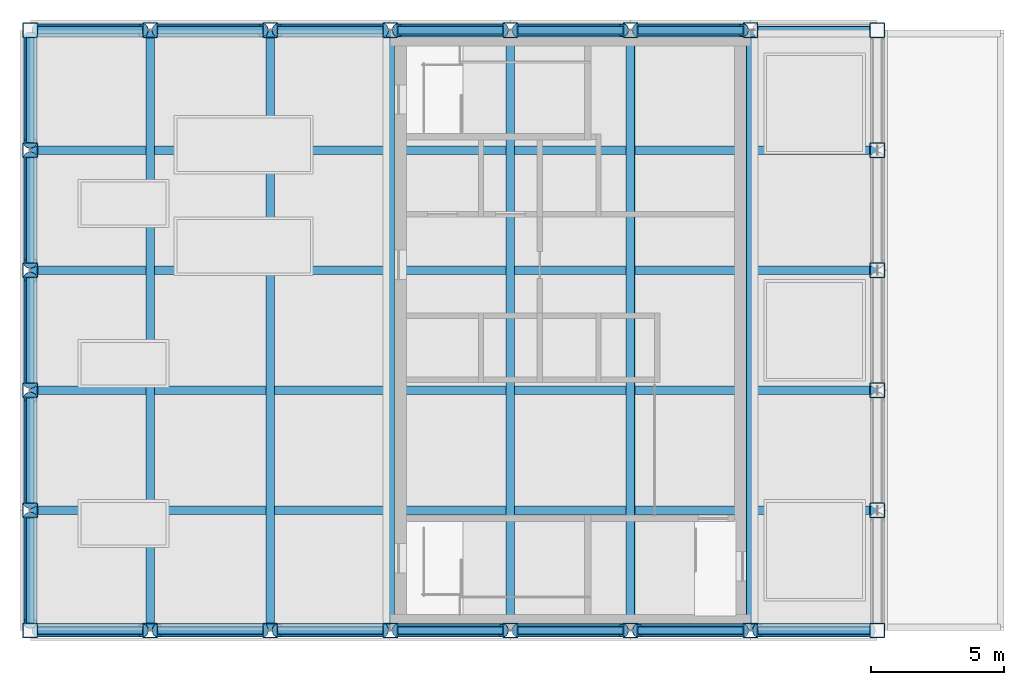
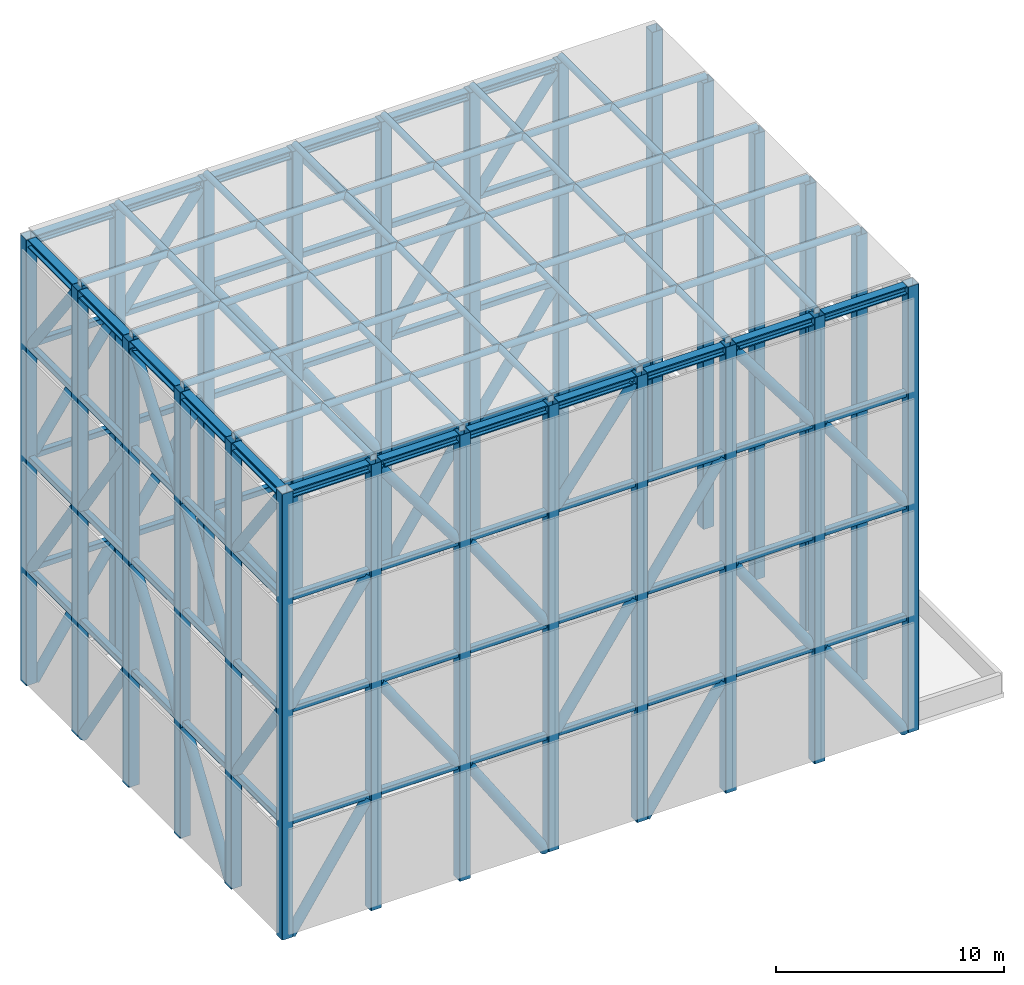
# One storey, part 1 of 11: 101 members, 24 columns, 18 beams.
"""IFC4 building model written with IfcOpenShell, lengths in metres."""

from ifc_helpers import new_model, si_unit, direction, frame, origin, origin_2d, place, context, subcontext, project, spatial, hollow_rectangle, hollow_circle, i_section, extrude, material, material_profile, profile_set, type_object, element, save


model = new_model("IFC4")

# Units and contexts
model_context = context("Model", 3, precision=1e-05, world=origin(), true_north=direction((0.0, 1.0)))
body_context = subcontext(model_context, "Body", "Model", "MODEL_VIEW")
ifc_project = project(units=[si_unit("LENGTHUNIT", "METRE"), si_unit("AREAUNIT", "SQUARE_METRE"), si_unit("VOLUMEUNIT", "CUBIC_METRE"), si_unit("PLANEANGLEUNIT", "RADIAN"), si_unit("MASSUNIT", "GRAM", prefix="KILO")], contexts=[model_context])

# Site, building, storey
site_placement = place(None, origin())
site = spatial("IfcSite", under=ifc_project, at=site_placement, CompositionType="ELEMENT")
building_placement = place(site_placement, origin())
building = spatial("IfcBuilding", under=site, at=building_placement, Name="Sennacour Bend Tower", CompositionType="ELEMENT")
storey_placement = place(building_placement, frame((0.0, 0.0, 355.5)))
storey = spatial("IfcBuildingStorey", under=building, at=storey_placement, Name="RF", CompositionType="ELEMENT", Elevation=355.5)

# Columns
ifc_material_1 = material(Name="Steel ASTM A500 Grade C", Category="steel")
ifc_material_profile_1 = material_profile(ifc_material_1, hollow_rectangle(XDim=0.558837890625, YDim=0.558837890625, WallThickness=0.01904296875, InnerFilletRadius=0.01904296875, OuterFilletRadius=0.0380859375, at=origin_2d()), Name="Steel ASTM A500 Grade C", Category="steel")
ifc_profile_set_1 = profile_set([ifc_material_profile_1], Name="Steel ASTM A500 Grade C")
column_type = type_object("IfcColumnType", Name="CROWN FRAME post 559", PredefinedType="COLUMN", material=ifc_profile_set_1)
for number, where, z_axis, x_axis, name in (
    (1, (40.5, 0.0, -0.25), (0.0, 0.0, 1.0), (1.0, 0.0, 0.0), "CROWN FRAME post CP-001"),
    (2, (45.0, 0.0, -0.25), (0.0, 0.0, 1.0), (1.0, 0.0, 0.0), "CROWN FRAME post CP-002"),
    (3, (49.5, 0.0, -0.25), (0.0, 0.0, 1.0), (1.0, 0.0, 0.0), "CROWN FRAME post CP-003"),
    (4, (54.0, 0.0, -0.25), (0.0, 0.0, 1.0), (1.0, 0.0, 0.0), "CROWN FRAME post CP-004"),
    (5, (58.5, 0.0, -0.25), (0.0, 0.0, 1.0), (1.0, 0.0, 0.0), "CROWN FRAME post CP-005"),
    (6, (63.0, 0.0, -0.25), (0.0, 0.0, 1.0), (1.0, 0.0, 0.0), "CROWN FRAME post CP-006"),
    (7, (67.5, 0.0, -0.25), (0.0, 0.0, 1.0), (1.0, 0.0, 0.0), "CROWN FRAME post CP-007"),
    (8, (72.25, 0.0, -0.25), (0.0, 0.0, 1.0), (1.0, 0.0, 0.0), "CROWN FRAME post CP-008"),
    (9, (72.25, 4.5, -0.25), (0.0, 0.0, 1.0), (1.0, 0.0, 0.0), "CROWN FRAME post CP-009"),
    (10, (72.25, 9.0, -0.25), (0.0, 0.0, 1.0), (1.0, 0.0, 0.0), "CROWN FRAME post CP-010"),
    (11, (72.25, 13.5, -0.25), (0.0, 0.0, 1.0), (1.0, 0.0, 0.0), "CROWN FRAME post CP-011"),
    (12, (72.25, 18.0, -0.25), (0.0, 0.0, 1.0), (1.0, 0.0, 0.0), "CROWN FRAME post CP-012"),
    (13, (72.25, 22.5, -0.25), (0.0, 0.0, 1.0), (1.0, 0.0, 0.0), "CROWN FRAME post CP-013"),
    (14, (67.5, 22.5, -0.25), (0.0, 0.0, 1.0), (1.0, 0.0, 0.0), "CROWN FRAME post CP-014"),
    (15, (63.0, 22.5, -0.25), (0.0, 0.0, 1.0), (1.0, 0.0, 0.0), "CROWN FRAME post CP-015"),
    (16, (58.5, 22.5, -0.25), (0.0, 0.0, 1.0), (1.0, 0.0, 0.0), "CROWN FRAME post CP-016"),
    (17, (54.0, 22.5, -0.25), (0.0, 0.0, 1.0), (1.0, 0.0, 0.0), "CROWN FRAME post CP-017"),
    (18, (49.5, 22.5, -0.25), (0.0, 0.0, 1.0), (1.0, 0.0, 0.0), "CROWN FRAME post CP-018"),
    (19, (45.0, 22.5, -0.25), (0.0, 0.0, 1.0), (1.0, 0.0, 0.0), "CROWN FRAME post CP-019"),
    (20, (40.5, 22.5, -0.25), (0.0, 0.0, 1.0), (1.0, 0.0, 0.0), "CROWN FRAME post CP-020"),
    (21, (40.5, 18.0, -0.25), (0.0, 0.0, 1.0), (1.0, 0.0, 0.0), "CROWN FRAME post CP-021"),
    (22, (40.5, 13.5, -0.25), (0.0, 0.0, 1.0), (1.0, 0.0, 0.0), "CROWN FRAME post CP-022"),
    (23, (40.5, 9.0, -0.25), (0.0, 0.0, 1.0), (1.0, 0.0, 0.0), "CROWN FRAME post CP-023"),
    (24, (40.5, 4.5, -0.25), (0.0, 0.0, 1.0), (1.0, 0.0, 0.0), "CROWN FRAME post CP-024"),
):
    element("IfcColumn", number, at=place(storey_placement, frame(where, z_axis=z_axis, x_axis=x_axis)), inside=storey, type_object=column_type, Name=name, PredefinedType="COLUMN", context=body_context, shape_type="SweptSolid", body=[
        extrude(hollow_rectangle(XDim=0.558837890625, YDim=0.558837890625, WallThickness=0.01904296875, InnerFilletRadius=0.01904296875, OuterFilletRadius=0.0380859375, at=origin_2d()), origin(), (0.0, 0.0, 1.0), 23.926025390625),
    ])

# Members
ifc_material_profile_2 = material_profile(ifc_material_1, hollow_circle(Radius=0.25390625, WallThickness=0.0126953125, at=origin_2d()), Name="Steel ASTM A500 Grade C", Category="steel")
ifc_profile_set_2 = profile_set([ifc_material_profile_2], Name="Steel ASTM A500 Grade C")
member_type_1 = type_object("IfcMemberType", Name="CROWN FRAME brace 508", PredefinedType="BRACE", material=ifc_profile_set_2)
member_1_placement = place(storey_placement, frame((40.779296875, 0.0, -0.25), z_axis=(0.552549986341, 0.0, 0.833479761359), x_axis=(0.0, 1.0, 0.0)))
element("IfcMember", 25, at=member_1_placement, inside=storey, type_object=member_type_1, Name="CROWN FRAME brace CB-001", PredefinedType="BRACE", context=body_context, shape_type="SweptSolid", body=[
    extrude(hollow_circle(Radius=0.25390625, WallThickness=0.0126953125, at=origin_2d()), origin(), (0.0, 0.0, 1.0), 7.133056640625),
])
for number, where, z_axis, x_axis, name in (
    (26, (40.779296875, 0.0, 12.0), (0.569063333042, 0.0, 0.822293696308), (0.0, 1.0, 0.0), "CROWN FRAME brace CB-002"),
    (27, (45.279296875, 0.0, 11.6953125), (0.569063333042, 0.0, -0.822293696308), (0.0, 1.0, 0.0), "CROWN FRAME brace CB-003"),
):
    element("IfcMember", number, at=place(storey_placement, frame(where, z_axis=z_axis, x_axis=x_axis)), inside=storey, type_object=member_type_1, Name=name, PredefinedType="BRACE", context=body_context, shape_type="SweptSolid", body=[
        extrude(hollow_circle(Radius=0.25390625, WallThickness=0.0126953125, at=origin_2d()), origin(), (0.0, 0.0, 1.0), 6.926025390625),
    ])
member_2_placement = place(storey_placement, frame((45.279296875, 0.0, 23.2421875), z_axis=(0.600952521831, 0.0, -0.799284721801), x_axis=(0.0, 1.0, 0.0)))
element("IfcMember", 28, at=member_2_placement, inside=storey, type_object=member_type_1, Name="CROWN FRAME brace CB-004", PredefinedType="BRACE", context=body_context, shape_type="SweptSolid", body=[
    extrude(hollow_circle(Radius=0.25390625, WallThickness=0.0126953125, at=origin_2d()), origin(), (0.0, 0.0, 1.0), 6.55859375),
])
member_3_placement = place(storey_placement, frame((49.779296875, 0.0, 5.6953125), z_axis=(0.552549986341, 0.0, -0.833479761359), x_axis=(0.0, 1.0, 0.0)))
element("IfcMember", 29, at=member_3_placement, inside=storey, type_object=member_type_1, Name="CROWN FRAME brace CB-005", PredefinedType="BRACE", context=body_context, shape_type="SweptSolid", body=[
    extrude(hollow_circle(Radius=0.25390625, WallThickness=0.0126953125, at=origin_2d()), origin(), (0.0, 0.0, 1.0), 7.133056640625),
])
for number, where, z_axis, x_axis, name in (
    (30, (49.779296875, 0.0, 17.6953125), (0.569063333042, 0.0, -0.822293696308), (0.0, 1.0, 0.0), "CROWN FRAME brace CB-006"),
    (31, (54.279296875, 0.0, 6.0), (0.569063333042, 0.0, 0.822293696308), (0.0, 1.0, 0.0), "CROWN FRAME brace CB-007"),
):
    element("IfcMember", number, at=place(storey_placement, frame(where, z_axis=z_axis, x_axis=x_axis)), inside=storey, type_object=member_type_1, Name=name, PredefinedType="BRACE", context=body_context, shape_type="SweptSolid", body=[
        extrude(hollow_circle(Radius=0.25390625, WallThickness=0.0126953125, at=origin_2d()), origin(), (0.0, 0.0, 1.0), 6.926025390625),
    ])
member_4_placement = place(storey_placement, frame((54.279296875, 0.0, 18.0), z_axis=(0.600952521831, 0.0, 0.799284721801), x_axis=(0.0, 1.0, 0.0)))
element("IfcMember", 32, at=member_4_placement, inside=storey, type_object=member_type_1, Name="CROWN FRAME brace CB-008", PredefinedType="BRACE", context=body_context, shape_type="SweptSolid", body=[
    extrude(hollow_circle(Radius=0.25390625, WallThickness=0.0126953125, at=origin_2d()), origin(), (0.0, 0.0, 1.0), 6.55859375),
])
member_5_placement = place(storey_placement, frame((58.779296875, 0.0, -0.25), z_axis=(0.552549986341, 0.0, 0.833479761359), x_axis=(0.0, 1.0, 0.0)))
element("IfcMember", 33, at=member_5_placement, inside=storey, type_object=member_type_1, Name="CROWN FRAME brace CB-009", PredefinedType="BRACE", context=body_context, shape_type="SweptSolid", body=[
    extrude(hollow_circle(Radius=0.25390625, WallThickness=0.0126953125, at=origin_2d()), origin(), (0.0, 0.0, 1.0), 7.133056640625),
])
for number, where, z_axis, x_axis, name in (
    (34, (58.779296875, 0.0, 12.0), (0.569063333042, 0.0, 0.822293696308), (0.0, 1.0, 0.0), "CROWN FRAME brace CB-010"),
    (35, (63.279296875, 0.0, 11.6953125), (0.569063333042, 0.0, -0.822293696308), (0.0, 1.0, 0.0), "CROWN FRAME brace CB-011"),
):
    element("IfcMember", number, at=place(storey_placement, frame(where, z_axis=z_axis, x_axis=x_axis)), inside=storey, type_object=member_type_1, Name=name, PredefinedType="BRACE", context=body_context, shape_type="SweptSolid", body=[
        extrude(hollow_circle(Radius=0.25390625, WallThickness=0.0126953125, at=origin_2d()), origin(), (0.0, 0.0, 1.0), 6.926025390625),
    ])
member_6_placement = place(storey_placement, frame((63.279296875, 0.0, 23.2421875), z_axis=(0.600952521831, 0.0, -0.799284721801), x_axis=(0.0, 1.0, 0.0)))
element("IfcMember", 36, at=member_6_placement, inside=storey, type_object=member_type_1, Name="CROWN FRAME brace CB-012", PredefinedType="BRACE", context=body_context, shape_type="SweptSolid", body=[
    extrude(hollow_circle(Radius=0.25390625, WallThickness=0.0126953125, at=origin_2d()), origin(), (0.0, 0.0, 1.0), 6.55859375),
])
member_7_placement = place(storey_placement, frame((67.779296875, 0.0, 5.6953125), z_axis=(0.576198186144, 0.0, -0.817310008678), x_axis=(0.0, 1.0, 0.0)))
element("IfcMember", 37, at=member_7_placement, inside=storey, type_object=member_type_1, Name="CROWN FRAME brace CB-013", PredefinedType="BRACE", context=body_context, shape_type="SweptSolid", body=[
    extrude(hollow_circle(Radius=0.25390625, WallThickness=0.0126953125, at=origin_2d()), origin(), (0.0, 0.0, 1.0), 7.274169921875),
])
member_8_placement = place(storey_placement, frame((67.779296875, 0.0, 17.6953125), z_axis=(0.592727857183, 0.0, -0.805402810598), x_axis=(0.0, 1.0, 0.0)))
element("IfcMember", 38, at=member_8_placement, inside=storey, type_object=member_type_1, Name="CROWN FRAME brace CB-014", PredefinedType="BRACE", context=body_context, shape_type="SweptSolid", body=[
    extrude(hollow_circle(Radius=0.25390625, WallThickness=0.0126953125, at=origin_2d()), origin(), (0.0, 0.0, 1.0), 7.0712890625),
])
member_9_placement = place(storey_placement, frame((67.220703125, 22.5, 11.6953125), z_axis=(-0.569063333042, 0.0, -0.822293696308), x_axis=(0.0, -1.0, 0.0)))
element("IfcMember", 39, at=member_9_placement, inside=storey, type_object=member_type_1, Name="CROWN FRAME brace CB-027", PredefinedType="BRACE", context=body_context, shape_type="SweptSolid", body=[
    extrude(hollow_circle(Radius=0.25390625, WallThickness=0.0126953125, at=origin_2d()), origin(), (0.0, 0.0, 1.0), 6.926025390625),
])
member_10_placement = place(storey_placement, frame((67.220703125, 22.5, 23.2421875), z_axis=(-0.600952521831, 0.0, -0.799284721801), x_axis=(0.0, -1.0, 0.0)))
element("IfcMember", 40, at=member_10_placement, inside=storey, type_object=member_type_1, Name="CROWN FRAME brace CB-028", PredefinedType="BRACE", context=body_context, shape_type="SweptSolid", body=[
    extrude(hollow_circle(Radius=0.25390625, WallThickness=0.0126953125, at=origin_2d()), origin(), (0.0, 0.0, 1.0), 6.55859375),
])
member_11_placement = place(storey_placement, frame((62.720703125, 22.5, 5.6953125), z_axis=(-0.552549986341, 0.0, -0.833479761359), x_axis=(0.0, -1.0, 0.0)))
element("IfcMember", 41, at=member_11_placement, inside=storey, type_object=member_type_1, Name="CROWN FRAME brace CB-029", PredefinedType="BRACE", context=body_context, shape_type="SweptSolid", body=[
    extrude(hollow_circle(Radius=0.25390625, WallThickness=0.0126953125, at=origin_2d()), origin(), (0.0, 0.0, 1.0), 7.133056640625),
])
for number, where, z_axis, x_axis, name in (
    (42, (62.720703125, 22.5, 17.6953125), (-0.569063333042, 0.0, -0.822293696308), (0.0, -1.0, 0.0), "CROWN FRAME brace CB-030"),
    (43, (58.220703125, 22.5, 6.0), (-0.569063333042, 0.0, 0.822293696308), (0.0, -1.0, 0.0), "CROWN FRAME brace CB-031"),
):
    element("IfcMember", number, at=place(storey_placement, frame(where, z_axis=z_axis, x_axis=x_axis)), inside=storey, type_object=member_type_1, Name=name, PredefinedType="BRACE", context=body_context, shape_type="SweptSolid", body=[
        extrude(hollow_circle(Radius=0.25390625, WallThickness=0.0126953125, at=origin_2d()), origin(), (0.0, 0.0, 1.0), 6.926025390625),
    ])
member_12_placement = place(storey_placement, frame((58.220703125, 22.5, 18.0), z_axis=(-0.600952521831, 0.0, 0.799284721801), x_axis=(0.0, -1.0, 0.0)))
element("IfcMember", 44, at=member_12_placement, inside=storey, type_object=member_type_1, Name="CROWN FRAME brace CB-032", PredefinedType="BRACE", context=body_context, shape_type="SweptSolid", body=[
    extrude(hollow_circle(Radius=0.25390625, WallThickness=0.0126953125, at=origin_2d()), origin(), (0.0, 0.0, 1.0), 6.55859375),
])
member_13_placement = place(storey_placement, frame((53.720703125, 22.5, -0.25), z_axis=(-0.552549986341, 0.0, 0.833479761359), x_axis=(0.0, -1.0, 0.0)))
element("IfcMember", 45, at=member_13_placement, inside=storey, type_object=member_type_1, Name="CROWN FRAME brace CB-033", PredefinedType="BRACE", context=body_context, shape_type="SweptSolid", body=[
    extrude(hollow_circle(Radius=0.25390625, WallThickness=0.0126953125, at=origin_2d()), origin(), (0.0, 0.0, 1.0), 7.133056640625),
])
for number, where, z_axis, x_axis, name in (
    (46, (53.720703125, 22.5, 12.0), (-0.569063333042, 0.0, 0.822293696308), (0.0, -1.0, 0.0), "CROWN FRAME brace CB-034"),
    (47, (49.220703125, 22.5, 11.6953125), (-0.569063333042, 0.0, -0.822293696308), (0.0, -1.0, 0.0), "CROWN FRAME brace CB-035"),
):
    element("IfcMember", number, at=place(storey_placement, frame(where, z_axis=z_axis, x_axis=x_axis)), inside=storey, type_object=member_type_1, Name=name, PredefinedType="BRACE", context=body_context, shape_type="SweptSolid", body=[
        extrude(hollow_circle(Radius=0.25390625, WallThickness=0.0126953125, at=origin_2d()), origin(), (0.0, 0.0, 1.0), 6.926025390625),
    ])
member_14_placement = place(storey_placement, frame((49.220703125, 22.5, 23.2421875), z_axis=(-0.600952521831, 0.0, -0.799284721801), x_axis=(0.0, -1.0, 0.0)))
element("IfcMember", 48, at=member_14_placement, inside=storey, type_object=member_type_1, Name="CROWN FRAME brace CB-036", PredefinedType="BRACE", context=body_context, shape_type="SweptSolid", body=[
    extrude(hollow_circle(Radius=0.25390625, WallThickness=0.0126953125, at=origin_2d()), origin(), (0.0, 0.0, 1.0), 6.55859375),
])
member_15_placement = place(storey_placement, frame((44.720703125, 22.5, 5.6953125), z_axis=(-0.552549986341, 0.0, -0.833479761359), x_axis=(0.0, -1.0, 0.0)))
element("IfcMember", 49, at=member_15_placement, inside=storey, type_object=member_type_1, Name="CROWN FRAME brace CB-037", PredefinedType="BRACE", context=body_context, shape_type="SweptSolid", body=[
    extrude(hollow_circle(Radius=0.25390625, WallThickness=0.0126953125, at=origin_2d()), origin(), (0.0, 0.0, 1.0), 7.133056640625),
])
for number, where, z_axis, x_axis, name in (
    (50, (44.720703125, 22.5, 17.6953125), (-0.569063333042, 0.0, -0.822293696308), (0.0, -1.0, 0.0), "CROWN FRAME brace CB-038"),
    (51, (40.5, 22.220703125, 6.0), (0.0, -0.569063333042, 0.822293696308), (1.0, 0.0, 0.0), "CROWN FRAME brace CB-039"),
):
    element("IfcMember", number, at=place(storey_placement, frame(where, z_axis=z_axis, x_axis=x_axis)), inside=storey, type_object=member_type_1, Name=name, PredefinedType="BRACE", context=body_context, shape_type="SweptSolid", body=[
        extrude(hollow_circle(Radius=0.25390625, WallThickness=0.0126953125, at=origin_2d()), origin(), (0.0, 0.0, 1.0), 6.926025390625),
    ])
member_16_placement = place(storey_placement, frame((40.5, 22.220703125, 18.0), z_axis=(0.0, -0.600952521831, 0.799284721801), x_axis=(1.0, 0.0, 0.0)))
element("IfcMember", 52, at=member_16_placement, inside=storey, type_object=member_type_1, Name="CROWN FRAME brace CB-040", PredefinedType="BRACE", context=body_context, shape_type="SweptSolid", body=[
    extrude(hollow_circle(Radius=0.25390625, WallThickness=0.0126953125, at=origin_2d()), origin(), (0.0, 0.0, 1.0), 6.55859375),
])
member_17_placement = place(storey_placement, frame((40.5, 17.720703125, -0.25), z_axis=(0.0, -0.552549986341, 0.833479761359), x_axis=(1.0, 0.0, 0.0)))
element("IfcMember", 53, at=member_17_placement, inside=storey, type_object=member_type_1, Name="CROWN FRAME brace CB-041", PredefinedType="BRACE", context=body_context, shape_type="SweptSolid", body=[
    extrude(hollow_circle(Radius=0.25390625, WallThickness=0.0126953125, at=origin_2d()), origin(), (0.0, 0.0, 1.0), 7.133056640625),
])
for number, where, z_axis, x_axis, name in (
    (54, (40.5, 17.720703125, 12.0), (0.0, -0.569063333042, 0.822293696308), (1.0, 0.0, 0.0), "CROWN FRAME brace CB-042"),
    (55, (40.5, 13.220703125, 11.6953125), (0.0, -0.569063333042, -0.822293696308), (1.0, 0.0, 0.0), "CROWN FRAME brace CB-043"),
):
    element("IfcMember", number, at=place(storey_placement, frame(where, z_axis=z_axis, x_axis=x_axis)), inside=storey, type_object=member_type_1, Name=name, PredefinedType="BRACE", context=body_context, shape_type="SweptSolid", body=[
        extrude(hollow_circle(Radius=0.25390625, WallThickness=0.0126953125, at=origin_2d()), origin(), (0.0, 0.0, 1.0), 6.926025390625),
    ])
member_18_placement = place(storey_placement, frame((40.5, 13.220703125, 23.2421875), z_axis=(0.0, -0.600952521831, -0.799284721801), x_axis=(1.0, 0.0, 0.0)))
element("IfcMember", 56, at=member_18_placement, inside=storey, type_object=member_type_1, Name="CROWN FRAME brace CB-044", PredefinedType="BRACE", context=body_context, shape_type="SweptSolid", body=[
    extrude(hollow_circle(Radius=0.25390625, WallThickness=0.0126953125, at=origin_2d()), origin(), (0.0, 0.0, 1.0), 6.55859375),
])
member_19_placement = place(storey_placement, frame((40.5, 8.720703125, 5.6953125), z_axis=(0.0, -0.552549986341, -0.833479761359), x_axis=(1.0, 0.0, 0.0)))
element("IfcMember", 57, at=member_19_placement, inside=storey, type_object=member_type_1, Name="CROWN FRAME brace CB-045", PredefinedType="BRACE", context=body_context, shape_type="SweptSolid", body=[
    extrude(hollow_circle(Radius=0.25390625, WallThickness=0.0126953125, at=origin_2d()), origin(), (0.0, 0.0, 1.0), 7.133056640625),
])
for number, where, z_axis, x_axis, name in (
    (58, (40.5, 8.720703125, 17.6953125), (0.0, -0.569063333042, -0.822293696308), (1.0, 0.0, 0.0), "CROWN FRAME brace CB-046"),
    (59, (40.5, 4.220703125, 6.0), (0.0, -0.569063333042, 0.822293696308), (1.0, 0.0, 0.0), "CROWN FRAME brace CB-047"),
):
    element("IfcMember", number, at=place(storey_placement, frame(where, z_axis=z_axis, x_axis=x_axis)), inside=storey, type_object=member_type_1, Name=name, PredefinedType="BRACE", context=body_context, shape_type="SweptSolid", body=[
        extrude(hollow_circle(Radius=0.25390625, WallThickness=0.0126953125, at=origin_2d()), origin(), (0.0, 0.0, 1.0), 6.926025390625),
    ])
member_20_placement = place(storey_placement, frame((40.5, 4.220703125, 18.0), z_axis=(0.0, -0.600952521831, 0.799284721801), x_axis=(1.0, 0.0, 0.0)))
element("IfcMember", 60, at=member_20_placement, inside=storey, type_object=member_type_1, Name="CROWN FRAME brace CB-048", PredefinedType="BRACE", context=body_context, shape_type="SweptSolid", body=[
    extrude(hollow_circle(Radius=0.25390625, WallThickness=0.0126953125, at=origin_2d()), origin(), (0.0, 0.0, 1.0), 6.55859375),
])
ifc_material_profile_3 = material_profile(ifc_material_1, hollow_circle(Radius=0.161865234375, WallThickness=0.0126953125, at=origin_2d()), Name="Steel ASTM A500 Grade C", Category="steel")
ifc_profile_set_3 = profile_set([ifc_material_profile_3], Name="Steel ASTM A500 Grade C")
member_type_2 = type_object("IfcMemberType", Name="CROWN FRAME cap rafter 324", PredefinedType="CHORD", material=ifc_profile_set_3)
for number, where, z_axis, x_axis, name in (
    (61, (45.0, 0.0, 23.838134765625), (0.0, 1.0, 0.0), (-1.0, 0.0, 0.0), "CROWN FRAME cap rafter CH-001"),
    (62, (49.5, 0.0, 23.838134765625), (0.0, 1.0, 0.0), (-1.0, 0.0, 0.0), "CROWN FRAME cap rafter CH-002"),
    (63, (54.0, 0.0, 23.838134765625), (0.0, 1.0, 0.0), (-1.0, 0.0, 0.0), "CROWN FRAME cap rafter CH-003"),
    (64, (58.5, 0.0, 23.838134765625), (0.0, 1.0, 0.0), (-1.0, 0.0, 0.0), "CROWN FRAME cap rafter CH-004"),
    (65, (63.0, 0.0, 23.838134765625), (0.0, 1.0, 0.0), (-1.0, 0.0, 0.0), "CROWN FRAME cap rafter CH-005"),
    (66, (67.5, 0.0, 23.838134765625), (0.0, 1.0, 0.0), (-1.0, 0.0, 0.0), "CROWN FRAME cap rafter CH-006"),
):
    element("IfcMember", number, at=place(storey_placement, frame(where, z_axis=z_axis, x_axis=x_axis)), inside=storey, type_object=member_type_2, Name=name, PredefinedType="CHORD", context=body_context, shape_type="SweptSolid", body=[
        extrude(hollow_circle(Radius=0.161865234375, WallThickness=0.0126953125, at=origin_2d()), origin(), (0.0, 0.0, 1.0), 22.5),
    ])
for number, where, z_axis, x_axis, name in (
    (67, (40.5, 4.5, 23.838134765625), (1.0, 0.0, 0.0), (0.0, 1.0, 0.0), "CROWN FRAME cap rafter CH-007"),
    (68, (40.5, 9.0, 23.838134765625), (1.0, 0.0, 0.0), (0.0, 1.0, 0.0), "CROWN FRAME cap rafter CH-008"),
    (69, (40.5, 13.5, 23.838134765625), (1.0, 0.0, 0.0), (0.0, 1.0, 0.0), "CROWN FRAME cap rafter CH-009"),
    (70, (40.5, 18.0, 23.838134765625), (1.0, 0.0, 0.0), (0.0, 1.0, 0.0), "CROWN FRAME cap rafter CH-010"),
):
    element("IfcMember", number, at=place(storey_placement, frame(where, z_axis=z_axis, x_axis=x_axis)), inside=storey, type_object=member_type_2, Name=name, PredefinedType="CHORD", context=body_context, shape_type="SweptSolid", body=[
        extrude(hollow_circle(Radius=0.161865234375, WallThickness=0.0126953125, at=origin_2d()), origin(), (0.0, 0.0, 1.0), 31.75),
    ])

# Beams
ifc_material_2 = material(Name="Steel ASTM A992 Grade 50", Category="steel")
ifc_material_profile_4 = material_profile(ifc_material_2, i_section(OverallWidth=0.410888671875, OverallDepth=0.43408203125, WebThickness=0.035888671875, FlangeThickness=0.057373046875, FilletRadius=0.01513671875, at=origin_2d()), Name="Steel ASTM A992 Grade 50", Category="steel")
ifc_profile_set_4 = profile_set([ifc_material_profile_4], Name="Steel ASTM A992 Grade 50")
beam_type = type_object("IfcBeamType", Name="CROWN FRAME ring beam W360X463", PredefinedType="BEAM", material=ifc_profile_set_4)
for number, where, z_axis, x_axis, name in (
    (71, (40.779296875, 0.0, 23.458984375), (1.0, 0.0, 0.0), (0.0, 1.0, 0.0), "CROWN FRAME ring beam CR-001"),
    (72, (45.279296875, 0.0, 23.458984375), (1.0, 0.0, 0.0), (0.0, 1.0, 0.0), "CROWN FRAME ring beam CR-002"),
    (73, (49.779296875, 0.0, 23.458984375), (1.0, 0.0, 0.0), (0.0, 1.0, 0.0), "CROWN FRAME ring beam CR-003"),
    (74, (54.279296875, 0.0, 23.458984375), (1.0, 0.0, 0.0), (0.0, 1.0, 0.0), "CROWN FRAME ring beam CR-004"),
    (75, (58.779296875, 0.0, 23.458984375), (1.0, 0.0, 0.0), (0.0, 1.0, 0.0), "CROWN FRAME ring beam CR-005"),
    (76, (63.279296875, 0.0, 23.458984375), (1.0, 0.0, 0.0), (0.0, 1.0, 0.0), "CROWN FRAME ring beam CR-006"),
):
    element("IfcBeam", number, at=place(storey_placement, frame(where, z_axis=z_axis, x_axis=x_axis)), inside=storey, type_object=beam_type, Name=name, PredefinedType="BEAM", context=body_context, shape_type="SweptSolid", body=[
        extrude(i_section(OverallWidth=0.410888671875, OverallDepth=0.43408203125, WebThickness=0.035888671875, FlangeThickness=0.057373046875, FilletRadius=0.01513671875, at=origin_2d()), origin(), (0.0, 0.0, 1.0), 3.94140625),
    ])
beam_placement = place(storey_placement, frame((67.779296875, 0.0, 23.458984375), z_axis=(1.0, 0.0, 0.0), x_axis=(0.0, 1.0, 0.0)))
element("IfcBeam", 77, at=beam_placement, inside=storey, type_object=beam_type, Name="CROWN FRAME ring beam CR-007", PredefinedType="BEAM", context=body_context, shape_type="SweptSolid", body=[
    extrude(i_section(OverallWidth=0.410888671875, OverallDepth=0.43408203125, WebThickness=0.035888671875, FlangeThickness=0.057373046875, FilletRadius=0.01513671875, at=origin_2d()), origin(), (0.0, 0.0, 1.0), 4.19140625),
])
for number, where, z_axis, x_axis, name in (
    (78, (67.220703125, 22.5, 23.458984375), (-1.0, 0.0, 0.0), (0.0, -1.0, 0.0), "CROWN FRAME ring beam CR-014"),
    (79, (62.720703125, 22.5, 23.458984375), (-1.0, 0.0, 0.0), (0.0, -1.0, 0.0), "CROWN FRAME ring beam CR-015"),
    (80, (58.220703125, 22.5, 23.458984375), (-1.0, 0.0, 0.0), (0.0, -1.0, 0.0), "CROWN FRAME ring beam CR-016"),
    (81, (53.720703125, 22.5, 23.458984375), (-1.0, 0.0, 0.0), (0.0, -1.0, 0.0), "CROWN FRAME ring beam CR-017"),
    (82, (49.220703125, 22.5, 23.458984375), (-1.0, 0.0, 0.0), (0.0, -1.0, 0.0), "CROWN FRAME ring beam CR-018"),
    (83, (44.720703125, 22.5, 23.458984375), (-1.0, 0.0, 0.0), (0.0, -1.0, 0.0), "CROWN FRAME ring beam CR-019"),
    (84, (40.5, 22.220703125, 23.458984375), (0.0, -1.0, 0.0), (1.0, 0.0, 0.0), "CROWN FRAME ring beam CR-020"),
    (85, (40.5, 17.720703125, 23.458984375), (0.0, -1.0, 0.0), (1.0, 0.0, 0.0), "CROWN FRAME ring beam CR-021"),
    (86, (40.5, 13.220703125, 23.458984375), (0.0, -1.0, 0.0), (1.0, 0.0, 0.0), "CROWN FRAME ring beam CR-022"),
    (87, (40.5, 8.720703125, 23.458984375), (0.0, -1.0, 0.0), (1.0, 0.0, 0.0), "CROWN FRAME ring beam CR-023"),
    (88, (40.5, 4.220703125, 23.458984375), (0.0, -1.0, 0.0), (1.0, 0.0, 0.0), "CROWN FRAME ring beam CR-024"),
):
    element("IfcBeam", number, at=place(storey_placement, frame(where, z_axis=z_axis, x_axis=x_axis)), inside=storey, type_object=beam_type, Name=name, PredefinedType="BEAM", context=body_context, shape_type="SweptSolid", body=[
        extrude(i_section(OverallWidth=0.410888671875, OverallDepth=0.43408203125, WebThickness=0.035888671875, FlangeThickness=0.057373046875, FilletRadius=0.01513671875, at=origin_2d()), origin(), (0.0, 0.0, 1.0), 3.94140625),
    ])

# Members
ifc_material_profile_5 = material_profile(ifc_material_1, hollow_rectangle(XDim=0.3046875, YDim=0.3046875, WallThickness=0.0126953125, InnerFilletRadius=0.0126953125, OuterFilletRadius=0.025390625, at=origin_2d()), Name="Steel ASTM A500 Grade C", Category="steel")
ifc_profile_set_5 = profile_set([ifc_material_profile_5], Name="Steel ASTM A500 Grade C")
member_type_3 = type_object("IfcMemberType", Name="CROWN FRAME tier ring 305", PredefinedType="MEMBER", material=ifc_profile_set_5)
for number, where, z_axis, x_axis, name in (
    (89, (40.779296875, 0.0, 5.84765625), (1.0, 0.0, 0.0), (0.0, 1.0, 0.0), "CROWN FRAME tier ring CT-001"),
    (90, (40.779296875, 0.0, 11.84765625), (1.0, 0.0, 0.0), (0.0, 1.0, 0.0), "CROWN FRAME tier ring CT-002"),
    (91, (40.779296875, 0.0, 17.84765625), (1.0, 0.0, 0.0), (0.0, 1.0, 0.0), "CROWN FRAME tier ring CT-003"),
    (92, (45.279296875, 0.0, 5.84765625), (1.0, 0.0, 0.0), (0.0, 1.0, 0.0), "CROWN FRAME tier ring CT-004"),
    (93, (45.279296875, 0.0, 11.84765625), (1.0, 0.0, 0.0), (0.0, 1.0, 0.0), "CROWN FRAME tier ring CT-005"),
    (94, (45.279296875, 0.0, 17.84765625), (1.0, 0.0, 0.0), (0.0, 1.0, 0.0), "CROWN FRAME tier ring CT-006"),
    (95, (49.779296875, 0.0, 5.84765625), (1.0, 0.0, 0.0), (0.0, 1.0, 0.0), "CROWN FRAME tier ring CT-007"),
    (96, (49.779296875, 0.0, 11.84765625), (1.0, 0.0, 0.0), (0.0, 1.0, 0.0), "CROWN FRAME tier ring CT-008"),
    (97, (49.779296875, 0.0, 17.84765625), (1.0, 0.0, 0.0), (0.0, 1.0, 0.0), "CROWN FRAME tier ring CT-009"),
    (98, (54.279296875, 0.0, 5.84765625), (1.0, 0.0, 0.0), (0.0, 1.0, 0.0), "CROWN FRAME tier ring CT-010"),
    (99, (54.279296875, 0.0, 11.84765625), (1.0, 0.0, 0.0), (0.0, 1.0, 0.0), "CROWN FRAME tier ring CT-011"),
    (100, (54.279296875, 0.0, 17.84765625), (1.0, 0.0, 0.0), (0.0, 1.0, 0.0), "CROWN FRAME tier ring CT-012"),
    (101, (58.779296875, 0.0, 5.84765625), (1.0, 0.0, 0.0), (0.0, 1.0, 0.0), "CROWN FRAME tier ring CT-013"),
    (102, (58.779296875, 0.0, 11.84765625), (1.0, 0.0, 0.0), (0.0, 1.0, 0.0), "CROWN FRAME tier ring CT-014"),
    (103, (58.779296875, 0.0, 17.84765625), (1.0, 0.0, 0.0), (0.0, 1.0, 0.0), "CROWN FRAME tier ring CT-015"),
    (104, (63.279296875, 0.0, 5.84765625), (1.0, 0.0, 0.0), (0.0, 1.0, 0.0), "CROWN FRAME tier ring CT-016"),
    (105, (63.279296875, 0.0, 11.84765625), (1.0, 0.0, 0.0), (0.0, 1.0, 0.0), "CROWN FRAME tier ring CT-017"),
    (106, (63.279296875, 0.0, 17.84765625), (1.0, 0.0, 0.0), (0.0, 1.0, 0.0), "CROWN FRAME tier ring CT-018"),
):
    element("IfcMember", number, at=place(storey_placement, frame(where, z_axis=z_axis, x_axis=x_axis)), inside=storey, type_object=member_type_3, Name=name, PredefinedType="MEMBER", context=body_context, shape_type="SweptSolid", body=[
        extrude(hollow_rectangle(XDim=0.3046875, YDim=0.3046875, WallThickness=0.0126953125, InnerFilletRadius=0.0126953125, OuterFilletRadius=0.025390625, at=origin_2d()), origin(), (0.0, 0.0, 1.0), 3.94140625),
    ])
for number, where, z_axis, x_axis, name in (
    (107, (67.779296875, 0.0, 5.84765625), (1.0, 0.0, 0.0), (0.0, 1.0, 0.0), "CROWN FRAME tier ring CT-019"),
    (108, (67.779296875, 0.0, 11.84765625), (1.0, 0.0, 0.0), (0.0, 1.0, 0.0), "CROWN FRAME tier ring CT-020"),
    (109, (67.779296875, 0.0, 17.84765625), (1.0, 0.0, 0.0), (0.0, 1.0, 0.0), "CROWN FRAME tier ring CT-021"),
    (110, (71.970703125, 22.5, 5.84765625), (-1.0, 0.0, 0.0), (0.0, -1.0, 0.0), "CROWN FRAME tier ring CT-037"),
):
    element("IfcMember", number, at=place(storey_placement, frame(where, z_axis=z_axis, x_axis=x_axis)), inside=storey, type_object=member_type_3, Name=name, PredefinedType="MEMBER", context=body_context, shape_type="SweptSolid", body=[
        extrude(hollow_rectangle(XDim=0.3046875, YDim=0.3046875, WallThickness=0.0126953125, InnerFilletRadius=0.0126953125, OuterFilletRadius=0.025390625, at=origin_2d()), origin(), (0.0, 0.0, 1.0), 4.19140625),
    ])
for number, where, z_axis, x_axis, name in (
    (111, (67.220703125, 22.5, 5.84765625), (-1.0, 0.0, 0.0), (0.0, -1.0, 0.0), "CROWN FRAME tier ring CT-040"),
    (112, (67.220703125, 22.5, 11.84765625), (-1.0, 0.0, 0.0), (0.0, -1.0, 0.0), "CROWN FRAME tier ring CT-041"),
    (113, (67.220703125, 22.5, 17.84765625), (-1.0, 0.0, 0.0), (0.0, -1.0, 0.0), "CROWN FRAME tier ring CT-042"),
    (114, (62.720703125, 22.5, 5.84765625), (-1.0, 0.0, 0.0), (0.0, -1.0, 0.0), "CROWN FRAME tier ring CT-043"),
    (115, (62.720703125, 22.5, 11.84765625), (-1.0, 0.0, 0.0), (0.0, -1.0, 0.0), "CROWN FRAME tier ring CT-044"),
    (116, (62.720703125, 22.5, 17.84765625), (-1.0, 0.0, 0.0), (0.0, -1.0, 0.0), "CROWN FRAME tier ring CT-045"),
    (117, (58.220703125, 22.5, 5.84765625), (-1.0, 0.0, 0.0), (0.0, -1.0, 0.0), "CROWN FRAME tier ring CT-046"),
    (118, (58.220703125, 22.5, 11.84765625), (-1.0, 0.0, 0.0), (0.0, -1.0, 0.0), "CROWN FRAME tier ring CT-047"),
    (119, (58.220703125, 22.5, 17.84765625), (-1.0, 0.0, 0.0), (0.0, -1.0, 0.0), "CROWN FRAME tier ring CT-048"),
    (120, (53.720703125, 22.5, 5.84765625), (-1.0, 0.0, 0.0), (0.0, -1.0, 0.0), "CROWN FRAME tier ring CT-049"),
    (121, (53.720703125, 22.5, 11.84765625), (-1.0, 0.0, 0.0), (0.0, -1.0, 0.0), "CROWN FRAME tier ring CT-050"),
    (122, (53.720703125, 22.5, 17.84765625), (-1.0, 0.0, 0.0), (0.0, -1.0, 0.0), "CROWN FRAME tier ring CT-051"),
    (123, (49.220703125, 22.5, 5.84765625), (-1.0, 0.0, 0.0), (0.0, -1.0, 0.0), "CROWN FRAME tier ring CT-052"),
    (124, (49.220703125, 22.5, 11.84765625), (-1.0, 0.0, 0.0), (0.0, -1.0, 0.0), "CROWN FRAME tier ring CT-053"),
    (125, (49.220703125, 22.5, 17.84765625), (-1.0, 0.0, 0.0), (0.0, -1.0, 0.0), "CROWN FRAME tier ring CT-054"),
    (126, (44.720703125, 22.5, 5.84765625), (-1.0, 0.0, 0.0), (0.0, -1.0, 0.0), "CROWN FRAME tier ring CT-055"),
    (127, (44.720703125, 22.5, 11.84765625), (-1.0, 0.0, 0.0), (0.0, -1.0, 0.0), "CROWN FRAME tier ring CT-056"),
    (128, (44.720703125, 22.5, 17.84765625), (-1.0, 0.0, 0.0), (0.0, -1.0, 0.0), "CROWN FRAME tier ring CT-057"),
    (129, (40.5, 22.220703125, 5.84765625), (0.0, -1.0, 0.0), (1.0, 0.0, 0.0), "CROWN FRAME tier ring CT-058"),
    (130, (40.5, 22.220703125, 11.84765625), (0.0, -1.0, 0.0), (1.0, 0.0, 0.0), "CROWN FRAME tier ring CT-059"),
    (131, (40.5, 22.220703125, 17.84765625), (0.0, -1.0, 0.0), (1.0, 0.0, 0.0), "CROWN FRAME tier ring CT-060"),
    (132, (40.5, 17.720703125, 5.84765625), (0.0, -1.0, 0.0), (1.0, 0.0, 0.0), "CROWN FRAME tier ring CT-061"),
    (133, (40.5, 17.720703125, 11.84765625), (0.0, -1.0, 0.0), (1.0, 0.0, 0.0), "CROWN FRAME tier ring CT-062"),
    (134, (40.5, 17.720703125, 17.84765625), (0.0, -1.0, 0.0), (1.0, 0.0, 0.0), "CROWN FRAME tier ring CT-063"),
    (135, (40.5, 13.220703125, 5.84765625), (0.0, -1.0, 0.0), (1.0, 0.0, 0.0), "CROWN FRAME tier ring CT-064"),
    (136, (40.5, 13.220703125, 11.84765625), (0.0, -1.0, 0.0), (1.0, 0.0, 0.0), "CROWN FRAME tier ring CT-065"),
    (137, (40.5, 13.220703125, 17.84765625), (0.0, -1.0, 0.0), (1.0, 0.0, 0.0), "CROWN FRAME tier ring CT-066"),
    (138, (40.5, 8.720703125, 5.84765625), (0.0, -1.0, 0.0), (1.0, 0.0, 0.0), "CROWN FRAME tier ring CT-067"),
    (139, (40.5, 8.720703125, 11.84765625), (0.0, -1.0, 0.0), (1.0, 0.0, 0.0), "CROWN FRAME tier ring CT-068"),
    (140, (40.5, 8.720703125, 17.84765625), (0.0, -1.0, 0.0), (1.0, 0.0, 0.0), "CROWN FRAME tier ring CT-069"),
    (141, (40.5, 4.220703125, 5.84765625), (0.0, -1.0, 0.0), (1.0, 0.0, 0.0), "CROWN FRAME tier ring CT-070"),
    (142, (40.5, 4.220703125, 11.84765625), (0.0, -1.0, 0.0), (1.0, 0.0, 0.0), "CROWN FRAME tier ring CT-071"),
    (143, (40.5, 4.220703125, 17.84765625), (0.0, -1.0, 0.0), (1.0, 0.0, 0.0), "CROWN FRAME tier ring CT-072"),
):
    element("IfcMember", number, at=place(storey_placement, frame(where, z_axis=z_axis, x_axis=x_axis)), inside=storey, type_object=member_type_3, Name=name, PredefinedType="MEMBER", context=body_context, shape_type="SweptSolid", body=[
        extrude(hollow_rectangle(XDim=0.3046875, YDim=0.3046875, WallThickness=0.0126953125, InnerFilletRadius=0.0126953125, OuterFilletRadius=0.025390625, at=origin_2d()), origin(), (0.0, 0.0, 1.0), 3.94140625),
    ])

save(model, "model.ifc")
